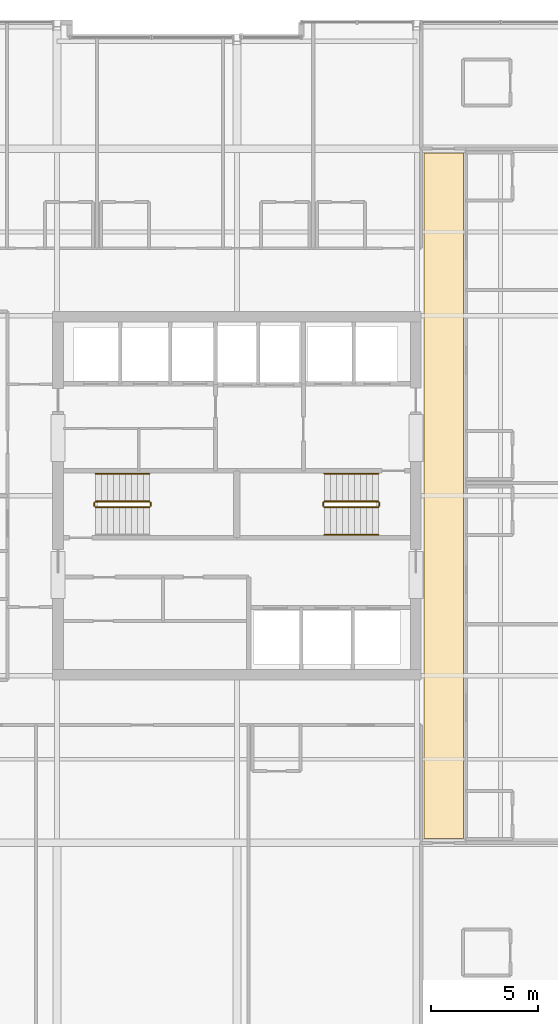
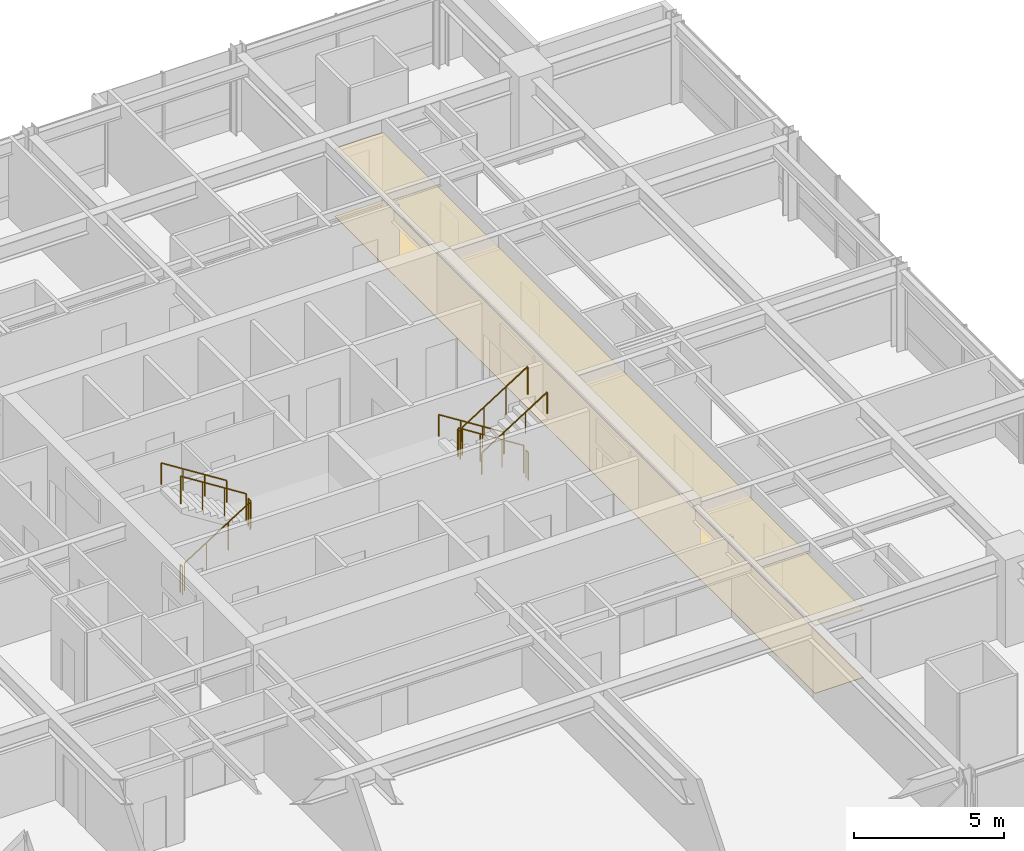
# One storey, part 31 of 32: 11 railings, 2 coverings.
"""IFC4 building model written with IfcOpenShell, lengths in metres."""

from ifc_helpers import new_model, si_unit, direction, frame, origin, origin_2d, place, context, subcontext, project, spatial, polyline, circle, outline, extrude, material, layer, layer_set, type_object, element, save


model = new_model("IFC4")

# Units and contexts
model_context = context("Model", 3, precision=1e-05, world=origin(), true_north=direction((0.0, 1.0)))
body_context = subcontext(model_context, "Body", "Model", "MODEL_VIEW")
ifc_project = project(units=[si_unit("LENGTHUNIT", "METRE"), si_unit("AREAUNIT", "SQUARE_METRE"), si_unit("VOLUMEUNIT", "CUBIC_METRE"), si_unit("PLANEANGLEUNIT", "RADIAN"), si_unit("MASSUNIT", "GRAM", prefix="KILO")], contexts=[model_context])

# Site, building, storey
site_placement = place(None, origin())
site = spatial("IfcSite", under=ifc_project, at=site_placement, CompositionType="ELEMENT")
building_placement = place(site_placement, origin())
building = spatial("IfcBuilding", under=site, at=building_placement, Name="Drelvath Grand Hotel", CompositionType="ELEMENT")
storey_placement = place(building_placement, frame((0.0, 0.0, 189.449951171875)))
storey = spatial("IfcBuildingStorey", under=building, at=storey_placement, Name="L49", CompositionType="ELEMENT", Elevation=189.449951171875)

# Railings
ifc_material_1 = material(Name="Painted Steel S275", Category="steel")
railing_type_1 = type_object("IfcRailingType", Name="Core Stair Wall Handrail 900", PredefinedType="HANDRAIL", material=ifc_material_1)
railing_1_placement = place(storey_placement, frame((-4.080078125, 28.030029296875, 1.95263671875)))
element("IfcRailing", 1, at=railing_1_placement, inside=storey, type_object=railing_type_1, Name="L49 ST-1 stair handrail 2", PredefinedType="HANDRAIL", context=body_context, shape_type="SweptSolid", body=[
    extrude(circle(Radius=0.02392578125, at=origin_2d()), frame((0.0, 0.0, 0.8759765625), z_axis=(-0.84460694969, 0.0, 0.535386869969), x_axis=(0.0, -1.0, 0.0)), (0.0, 0.0, 1.0), 2.983642578125),
    extrude(circle(Radius=0.02099609375, at=origin_2d()), origin(), (0.0, 0.0, 1.0), 0.851806640625),
    extrude(circle(Radius=0.02099609375, at=origin_2d()), frame((-0.840087890625, 0.0, 0.532470703125)), (0.0, 0.0, 1.0), 0.851806640625),
    extrude(circle(Radius=0.02099609375, at=origin_2d()), frame((-1.679931640625, 0.0, 1.06494140625)), (0.0, 0.0, 1.0), 0.851806640625),
    extrude(circle(Radius=0.02099609375, at=origin_2d()), frame((-2.52001953125, 0.0, 1.597412109375)), (0.0, 0.0, 1.0), 0.851806640625),
])
railing_2_placement = place(storey_placement, frame((6.60009765625, 28.030029296875, 0.177490234375)))
element("IfcRailing", 2, at=railing_2_placement, inside=storey, type_object=railing_type_1, Name="L49 ST-2 stair handrail 1", PredefinedType="HANDRAIL", context=body_context, shape_type="SweptSolid", body=[
    extrude(circle(Radius=0.02392578125, at=origin_2d()), frame((0.0, 0.0, 0.8759765625), z_axis=(-0.84456994832, 0.0, 0.535445237532), x_axis=(0.0, -1.0, 0.0)), (0.0, 0.0, 1.0), 2.98388671875),
    extrude(circle(Radius=0.02099609375, at=origin_2d()), origin(), (0.0, 0.0, 1.0), 0.851806640625),
    extrude(circle(Radius=0.02099609375, at=origin_2d()), frame((-0.840087890625, 0.0, 0.532470703125)), (0.0, 0.0, 1.0), 0.851806640625),
    extrude(circle(Radius=0.02099609375, at=origin_2d()), frame((-1.679931640625, 0.0, 1.065185546875)), (0.0, 0.0, 1.0), 0.851806640625),
    extrude(circle(Radius=0.02099609375, at=origin_2d()), frame((-2.52001953125, 0.0, 1.59765625)), (0.0, 0.0, 1.0), 0.851806640625),
])
railing_3_placement = place(storey_placement, frame((4.080078125, 25.169921875, 1.95263671875)))
element("IfcRailing", 3, at=railing_3_placement, inside=storey, type_object=railing_type_1, Name="L49 ST-2 stair handrail 2", PredefinedType="HANDRAIL", context=body_context, shape_type="SweptSolid", body=[
    extrude(circle(Radius=0.02392578125, at=origin_2d()), frame((0.0, 0.0, 0.8759765625), z_axis=(0.84460694969, 0.0, 0.535386869969), x_axis=(0.0, 1.0, 0.0)), (0.0, 0.0, 1.0), 2.983642578125),
    extrude(circle(Radius=0.02099609375, at=origin_2d()), origin(), (0.0, 0.0, 1.0), 0.851806640625),
    extrude(circle(Radius=0.02099609375, at=origin_2d()), frame((0.840087890625, 0.0, 0.532470703125)), (0.0, 0.0, 1.0), 0.851806640625),
    extrude(circle(Radius=0.02099609375, at=origin_2d()), frame((1.679931640625, 0.0, 1.06494140625)), (0.0, 0.0, 1.0), 0.851806640625),
    extrude(circle(Radius=0.02099609375, at=origin_2d()), frame((2.52001953125, 0.0, 1.597412109375)), (0.0, 0.0, 1.0), 0.851806640625),
])
railing_type_2 = type_object("IfcRailingType", Name="Core Stair Well Guardrail 1100", PredefinedType="GUARDRAIL", material=ifc_material_1)
railing_4_placement = place(storey_placement, frame((-6.60009765625, 26.469970703125, 0.177490234375)))
element("IfcRailing", 4, at=railing_4_placement, inside=storey, type_object=railing_type_2, Name="L49 ST-1 stair guard 1", PredefinedType="GUARDRAIL", context=body_context, shape_type="SweptSolid", body=[
    extrude(circle(Radius=0.02392578125, at=origin_2d()), frame((0.0, 0.0, 1.1259765625), z_axis=(0.84456994832, 0.0, 0.535445237532), x_axis=(0.0, 1.0, 0.0)), (0.0, 0.0, 1.0), 2.98388671875),
    extrude(circle(Radius=0.02099609375, at=origin_2d()), origin(), (0.0, 0.0, 1.0), 1.101806640625),
    extrude(circle(Radius=0.02099609375, at=origin_2d()), frame((0.840087890625, 0.0, 0.532470703125)), (0.0, 0.0, 1.0), 1.101806640625),
    extrude(circle(Radius=0.02099609375, at=origin_2d()), frame((1.679931640625, 0.0, 1.065185546875)), (0.0, 0.0, 1.0), 1.101806640625),
    extrude(circle(Radius=0.02099609375, at=origin_2d()), frame((2.52001953125, 0.0, 1.59765625)), (0.0, 0.0, 1.0), 1.101806640625),
])
railing_5_placement = place(storey_placement, frame((-4.030029296875, 26.52001953125, 1.775146484375)))
element("IfcRailing", 5, at=railing_5_placement, inside=storey, type_object=railing_type_2, Name="L49 ST-1 stair guard 2", PredefinedType="GUARDRAIL", context=body_context, shape_type="SweptSolid", body=[
    extrude(circle(Radius=0.02392578125, at=origin_2d()), frame((0.0, 0.0, 1.1259765625), z_axis=(0.0, 1.0, 0.0), x_axis=(-1.0, 0.0, 0.0)), (0.0, 0.0, 1.0), 0.159912109375),
    extrude(circle(Radius=0.02099609375, at=origin_2d()), origin(), (0.0, 0.0, 1.0), 1.101806640625),
    extrude(circle(Radius=0.02099609375, at=origin_2d()), frame((0.0, 0.159912109375, 0.0)), (0.0, 0.0, 1.0), 1.101806640625),
])
railing_6_placement = place(storey_placement, frame((-4.080078125, 26.72998046875, 1.95263671875)))
element("IfcRailing", 6, at=railing_6_placement, inside=storey, type_object=railing_type_2, Name="L49 ST-1 stair guard 3", PredefinedType="GUARDRAIL", context=body_context, shape_type="SweptSolid", body=[
    extrude(circle(Radius=0.02392578125, at=origin_2d()), frame((0.0, 0.0, 1.1259765625), z_axis=(-0.84460694969, 0.0, 0.535386869969), x_axis=(0.0, -1.0, 0.0)), (0.0, 0.0, 1.0), 2.983642578125),
    extrude(circle(Radius=0.02099609375, at=origin_2d()), origin(), (0.0, 0.0, 1.0), 1.101806640625),
    extrude(circle(Radius=0.02099609375, at=origin_2d()), frame((-0.840087890625, 0.0, 0.532470703125)), (0.0, 0.0, 1.0), 1.101806640625),
    extrude(circle(Radius=0.02099609375, at=origin_2d()), frame((-1.679931640625, 0.0, 1.06494140625)), (0.0, 0.0, 1.0), 1.101806640625),
    extrude(circle(Radius=0.02099609375, at=origin_2d()), frame((-2.52001953125, 0.0, 1.597412109375)), (0.0, 0.0, 1.0), 1.101806640625),
])
railing_7_placement = place(storey_placement, frame((-6.64990234375, 26.52001953125, 0.0)))
element("IfcRailing", 7, at=railing_7_placement, inside=storey, type_object=railing_type_2, Name="L49 ST-1 stair guard 4", PredefinedType="GUARDRAIL", context=body_context, shape_type="SweptSolid", body=[
    extrude(circle(Radius=0.02392578125, at=origin_2d()), frame((0.0, 0.0, 1.1259765625), z_axis=(0.0, 1.0, 0.0), x_axis=(-1.0, 0.0, 0.0)), (0.0, 0.0, 1.0), 0.159912109375),
    extrude(circle(Radius=0.02099609375, at=origin_2d()), origin(), (0.0, 0.0, 1.0), 1.101806640625),
    extrude(circle(Radius=0.02099609375, at=origin_2d()), frame((0.0, 0.159912109375, 0.0)), (0.0, 0.0, 1.0), 1.101806640625),
])
railing_8_placement = place(storey_placement, frame((6.60009765625, 26.72998046875, 0.177490234375)))
element("IfcRailing", 8, at=railing_8_placement, inside=storey, type_object=railing_type_2, Name="L49 ST-2 stair guard 1", PredefinedType="GUARDRAIL", context=body_context, shape_type="SweptSolid", body=[
    extrude(circle(Radius=0.02392578125, at=origin_2d()), frame((0.0, 0.0, 1.1259765625), z_axis=(-0.84456994832, 0.0, 0.535445237532), x_axis=(0.0, -1.0, 0.0)), (0.0, 0.0, 1.0), 2.98388671875),
    extrude(circle(Radius=0.02099609375, at=origin_2d()), origin(), (0.0, 0.0, 1.0), 1.101806640625),
    extrude(circle(Radius=0.02099609375, at=origin_2d()), frame((-0.840087890625, 0.0, 0.532470703125)), (0.0, 0.0, 1.0), 1.101806640625),
    extrude(circle(Radius=0.02099609375, at=origin_2d()), frame((-1.679931640625, 0.0, 1.065185546875)), (0.0, 0.0, 1.0), 1.101806640625),
    extrude(circle(Radius=0.02099609375, at=origin_2d()), frame((-2.52001953125, 0.0, 1.59765625)), (0.0, 0.0, 1.0), 1.101806640625),
])
railing_9_placement = place(storey_placement, frame((4.030029296875, 26.679931640625, 1.775146484375)))
element("IfcRailing", 9, at=railing_9_placement, inside=storey, type_object=railing_type_2, Name="L49 ST-2 stair guard 2", PredefinedType="GUARDRAIL", context=body_context, shape_type="SweptSolid", body=[
    extrude(circle(Radius=0.02392578125, at=origin_2d()), frame((0.0, 0.0, 1.1259765625), z_axis=(0.0, -1.0, 0.0), x_axis=(1.0, 0.0, 0.0)), (0.0, 0.0, 1.0), 0.159912109375),
    extrude(circle(Radius=0.02099609375, at=origin_2d()), origin(), (0.0, 0.0, 1.0), 1.101806640625),
    extrude(circle(Radius=0.02099609375, at=origin_2d()), frame((0.0, -0.159912109375, 0.0)), (0.0, 0.0, 1.0), 1.101806640625),
])
railing_10_placement = place(storey_placement, frame((4.080078125, 26.469970703125, 1.95263671875)))
element("IfcRailing", 10, at=railing_10_placement, inside=storey, type_object=railing_type_2, Name="L49 ST-2 stair guard 3", PredefinedType="GUARDRAIL", context=body_context, shape_type="SweptSolid", body=[
    extrude(circle(Radius=0.02392578125, at=origin_2d()), frame((0.0, 0.0, 1.1259765625), z_axis=(0.84460694969, 0.0, 0.535386869969), x_axis=(0.0, 1.0, 0.0)), (0.0, 0.0, 1.0), 2.983642578125),
    extrude(circle(Radius=0.02099609375, at=origin_2d()), origin(), (0.0, 0.0, 1.0), 1.101806640625),
    extrude(circle(Radius=0.02099609375, at=origin_2d()), frame((0.840087890625, 0.0, 0.532470703125)), (0.0, 0.0, 1.0), 1.101806640625),
    extrude(circle(Radius=0.02099609375, at=origin_2d()), frame((1.679931640625, 0.0, 1.06494140625)), (0.0, 0.0, 1.0), 1.101806640625),
    extrude(circle(Radius=0.02099609375, at=origin_2d()), frame((2.52001953125, 0.0, 1.597412109375)), (0.0, 0.0, 1.0), 1.101806640625),
])
railing_11_placement = place(storey_placement, frame((6.64990234375, 26.679931640625, 0.0)))
element("IfcRailing", 11, at=railing_11_placement, inside=storey, type_object=railing_type_2, Name="L49 ST-2 stair guard 4", PredefinedType="GUARDRAIL", context=body_context, shape_type="SweptSolid", body=[
    extrude(circle(Radius=0.02392578125, at=origin_2d()), frame((0.0, 0.0, 1.1259765625), z_axis=(0.0, -1.0, 0.0), x_axis=(1.0, 0.0, 0.0)), (0.0, 0.0, 1.0), 0.159912109375),
    extrude(circle(Radius=0.02099609375, at=origin_2d()), origin(), (0.0, 0.0, 1.0), 1.101806640625),
    extrude(circle(Radius=0.02099609375, at=origin_2d()), frame((0.0, -0.159912109375, 0.0)), (0.0, 0.0, 1.0), 1.101806640625),
])

# Coverings
ifc_material_2 = material(Name="Woven Wool Broadloom Carpet")
ifc_layer_1 = layer(ifc_material_2, 0.01806640625)
ifc_layer_set_1 = layer_set([ifc_layer_1], Name="Woven Wool Broadloom Carpet")
covering_type_1 = type_object("IfcCoveringType", Name="Hospitality Broadloom Carpet 18", PredefinedType="FLOORING", material=ifc_layer_set_1)
covering_1_placement = place(storey_placement, origin())
element("IfcCovering", 12, at=covering_1_placement, inside=storey, type_object=covering_type_1, Name="L49 East Spine Carpet", PredefinedType="FLOORING", context=body_context, shape_type="SweptSolid", body=[
    extrude(outline(polyline([(10.580078125, 11.0), (10.580078125, 43.0), (8.719970703125, 43.0), (8.719970703125, 11.0), (10.580078125, 11.0)])), origin(), (0.0, 0.0, 1.0), 0.01806640625),
])
ifc_material_3 = material(Name="Anodised Aluminium Alloy", Category="aluminium")
ifc_layer_2 = layer(ifc_material_3, 0.0400390625)
ifc_layer_set_2 = layer_set([ifc_layer_2], Name="Anodised Aluminium Alloy")
covering_type_2 = type_object("IfcCoveringType", Name="Perforated Metal Corridor Ceiling 40", PredefinedType="CEILING", material=ifc_layer_set_2)
covering_2_placement = place(storey_placement, frame((0.0, 0.0, 2.739990234375)))
element("IfcCovering", 13, at=covering_2_placement, inside=storey, type_object=covering_type_2, Name="L49 East Spine Ceiling", PredefinedType="CEILING", context=body_context, shape_type="SweptSolid", body=[
    extrude(outline(polyline([(10.580078125, 11.0), (10.580078125, 43.0), (8.719970703125, 43.0), (8.719970703125, 11.0), (10.580078125, 11.0)])), origin(), (0.0, 0.0, 1.0), 0.0400390625),
])

save(model, "model.ifc")
